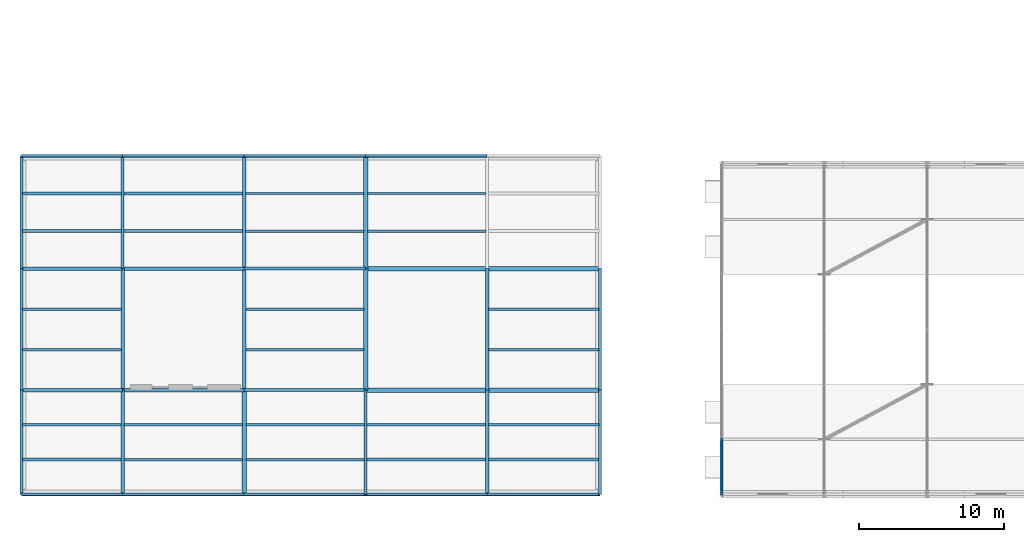
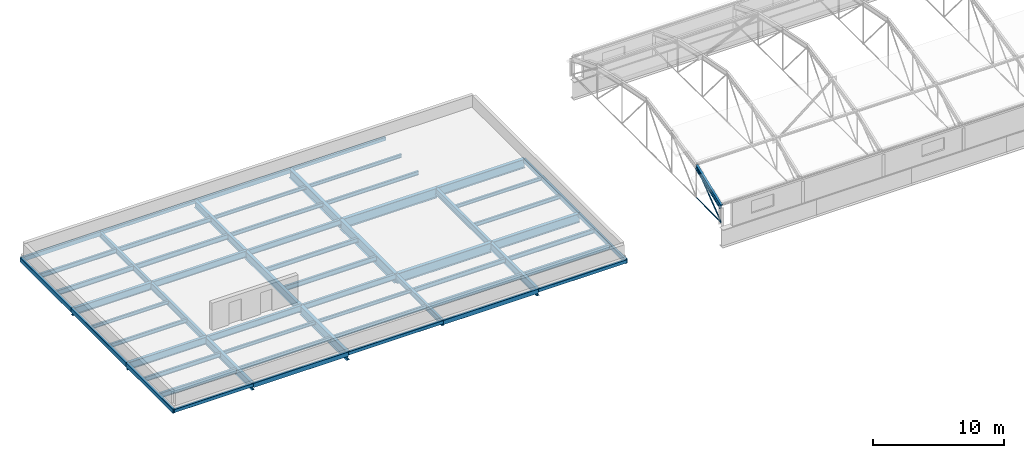
# One storey, part 5 of 53: 60 beams, 2 members.
"""IFC4 building model written with IfcOpenShell, lengths in metres."""

from ifc_helpers import new_model, si_unit, direction, frame, origin_with_axes, origin_2d_with_axis, place, context, subcontext, project, spatial, hollow_rectangle, circle, hollow_circle, i_section, extrude, material, material_profile, profile_set, type_object, element, save


model = new_model("IFC4")

# Units and contexts
model_context = context("Model", 3, precision=1e-05, world=origin_with_axes(), true_north=direction((0.0, 1.0)))
body_context = subcontext(model_context, "Body", "Model", "MODEL_VIEW")
ifc_project = project(units=[si_unit("LENGTHUNIT", "METRE"), si_unit("AREAUNIT", "SQUARE_METRE"), si_unit("VOLUMEUNIT", "CUBIC_METRE"), si_unit("PLANEANGLEUNIT", "RADIAN"), si_unit("MASSUNIT", "GRAM", prefix="KILO"), si_unit("THERMODYNAMICTEMPERATUREUNIT", "KELVIN")], contexts=[model_context])

# Site, building, storey
site_placement = place(None, origin_with_axes())
site = spatial("IfcSite", under=ifc_project, at=site_placement, CompositionType="ELEMENT")
building_placement = place(site_placement, origin_with_axes())
building = spatial("IfcBuilding", under=site, at=building_placement, Name="Montbau Bow Law Courts", CompositionType="ELEMENT")
storey_placement = place(building_placement, frame((0.0, 0.0, 39.0), z_axis=(0.0, 0.0, 1.0), x_axis=(1.0, 0.0, 0.0)))
storey = spatial("IfcBuildingStorey", under=building, at=storey_placement, Name="L08", CompositionType="ELEMENT", Elevation=39.0)

# Beams
ifc_material_1 = material(Name="Steel CSA G40.21 Grade 350WT (350 MPa)", Category="steel")
ifc_material_profile_1 = material_profile(ifc_material_1, i_section(OverallWidth=0.191, OverallDepth=0.46, WebThickness=0.0099, FlangeThickness=0.016, at=origin_2d_with_axis()), Name="W460X82", Category="Main", Priority=0)
ifc_profile_set_1 = profile_set([ifc_material_profile_1], Name="Steel CSA G40.21 Grade 350WT (350 MPa)")
beam_type_1 = type_object("IfcBeamType", Name="B-ARC-02", PredefinedType="USERDEFINED", material=ifc_profile_set_1)
beam_1_placement = place(None, frame((55.2, 39.0, 40.7), z_axis=(0.0, 0.931986259, 0.362493603), x_axis=(-1.0, 0.0, 0.0)))
element("IfcBeam", 1, at=beam_1_placement, inside=storey, type_object=beam_type_1, Name="Barrel vault roof truss arch rib V3-097", ObjectType="ARCH_RIB", PredefinedType="USERDEFINED", context=body_context, shape_type="SweptSolid", body=[
    extrude(i_section(OverallWidth=0.191, OverallDepth=0.46, WebThickness=0.0099, FlangeThickness=0.016, at=origin_2d_with_axis()), origin_with_axes(), (0.0, 0.0, 1.0), 4.077313),
])
ifc_material_2 = material(Name="Steel CSA G40.21 Grade 350W (350 MPa)", Category="steel")
ifc_material_profile_2 = material_profile(ifc_material_2, i_section(OverallWidth=0.306, OverallDepth=0.919, WebThickness=0.0173, FlangeThickness=0.0279, at=origin_2d_with_axis()), Name="W920X253", Category="Main", Priority=0)
ifc_profile_set_2 = profile_set([ifc_material_profile_2], Name="Steel CSA G40.21 Grade 350W (350 MPa)")
beam_type_2 = type_object("IfcBeamType", Name="B-FLR-01", PredefinedType="BEAM", material=ifc_profile_set_2)
for number, where, z_axis, x_axis, name in (
    (2, (30.6, 46.2, 38.291), (1.0, 0.0, 0.0), (0.0, 1.0, 0.0), "BM-L08-S0768:bm2_0771"),
    (3, (30.6, 54.6, 38.291), (1.0, 0.0, 0.0), (0.0, 1.0, 0.0), "BM-L08-S0773:bm2_0776"),
    (4, (30.6, 46.2, 38.291), (0.0, 1.0, 0.0), (-1.0, 0.0, 0.0), "BM-L08-S0790:bm2_0793"),
):
    element("IfcBeam", number, at=place(None, frame(where, z_axis=z_axis, x_axis=x_axis)), inside=storey, type_object=beam_type_2, Name=name, PredefinedType="BEAM", context=body_context, shape_type="SweptSolid", body=[
        extrude(i_section(OverallWidth=0.306, OverallDepth=0.919, WebThickness=0.0173, FlangeThickness=0.0279, at=origin_2d_with_axis()), origin_with_axes(), (0.0, 0.0, 1.0), 8.4),
    ])
ifc_material_profile_3 = material_profile(ifc_material_2, i_section(OverallWidth=0.293, OverallDepth=0.846, WebThickness=0.0154, FlangeThickness=0.0244, at=origin_2d_with_axis()), Name="W840X210", Category="Main", Priority=0)
ifc_profile_set_3 = profile_set([ifc_material_profile_3], Name="Steel CSA G40.21 Grade 350W (350 MPa)")
beam_type_3 = type_object("IfcBeamType", Name="B-FLR-02", PredefinedType="BEAM", material=ifc_profile_set_3)
for number, where, z_axis, x_axis, name in (
    (5, (39.0, 46.2, 38.327), (1.0, 0.0, 0.0), (0.0, 1.0, 0.0), "BM-L08-S0769:bm2_0772"),
    (6, (39.0, 54.6, 38.327), (1.0, 0.0, 0.0), (0.0, 1.0, 0.0), "BM-L08-S0774:bm2_0777"),
):
    element("IfcBeam", number, at=place(None, frame(where, z_axis=z_axis, x_axis=x_axis)), inside=storey, type_object=beam_type_3, Name=name, PredefinedType="BEAM", context=body_context, shape_type="SweptSolid", body=[
        extrude(i_section(OverallWidth=0.293, OverallDepth=0.846, WebThickness=0.0154, FlangeThickness=0.0244, at=origin_2d_with_axis()), origin_with_axes(), (0.0, 0.0, 1.0), 7.8),
    ])
beam_2_placement = place(None, frame((22.2, 39.0, 38.327), z_axis=(0.0, 1.0, 0.0), x_axis=(-1.0, 0.0, 0.0)))
element("IfcBeam", 7, at=beam_2_placement, inside=storey, type_object=beam_type_3, Name="BM-L08-S0786:bm2_0789", PredefinedType="BEAM", context=body_context, shape_type="SweptSolid", body=[
    extrude(i_section(OverallWidth=0.293, OverallDepth=0.846, WebThickness=0.0154, FlangeThickness=0.0244, at=origin_2d_with_axis()), origin_with_axes(), (0.0, 0.0, 1.0), 7.2),
])
beam_3_placement = place(None, frame((30.6, 54.6, 38.327), z_axis=(0.0, 1.0, 0.0), x_axis=(-1.0, 0.0, 0.0)))
element("IfcBeam", 8, at=beam_3_placement, inside=storey, type_object=beam_type_3, Name="BM-L08-S0791:bm2_0794", PredefinedType="BEAM", context=body_context, shape_type="SweptSolid", body=[
    extrude(i_section(OverallWidth=0.293, OverallDepth=0.846, WebThickness=0.0154, FlangeThickness=0.0244, at=origin_2d_with_axis()), origin_with_axes(), (0.0, 0.0, 1.0), 7.8),
])
ifc_material_profile_4 = material_profile(ifc_material_2, i_section(OverallWidth=0.267, OverallDepth=0.766, WebThickness=0.0149, FlangeThickness=0.0236, at=origin_2d_with_axis()), Name="W760X185", Category="Main", Priority=0)
ifc_profile_set_4 = profile_set([ifc_material_profile_4], Name="Steel CSA G40.21 Grade 350W (350 MPa)")
beam_type_4 = type_object("IfcBeamType", Name="B-FLR-03", PredefinedType="BEAM", material=ifc_profile_set_4)
beam_4_placement = place(None, frame((22.2, 46.2, 38.367), z_axis=(0.0, 1.0, 0.0), x_axis=(-1.0, 0.0, 0.0)))
element("IfcBeam", 9, at=beam_4_placement, inside=storey, type_object=beam_type_4, Name="BM-L08-S0787:bm2_0790", PredefinedType="BEAM", context=body_context, shape_type="SweptSolid", body=[
    extrude(i_section(OverallWidth=0.267, OverallDepth=0.766, WebThickness=0.0149, FlangeThickness=0.0236, at=origin_2d_with_axis()), origin_with_axes(), (0.0, 0.0, 1.0), 8.4),
])
ifc_material_profile_5 = material_profile(ifc_material_2, i_section(OverallWidth=0.254, OverallDepth=0.688, WebThickness=0.0131, FlangeThickness=0.0211, at=origin_2d_with_axis()), Name="W690X152", Category="Main", Priority=0)
ifc_profile_set_5 = profile_set([ifc_material_profile_5], Name="Steel CSA G40.21 Grade 350W (350 MPa)")
beam_type_5 = type_object("IfcBeamType", Name="B-FLR-04", PredefinedType="BEAM", material=ifc_profile_set_5)
for number, where, z_axis, x_axis, name in (
    (10, (6.8, 46.2, 38.406), (1.0, 0.0, 0.0), (0.0, 1.0, 0.0), "BM-L08-S0765:bm2_0768"),
    (11, (6.8, 54.6, 38.406), (1.0, 0.0, 0.0), (0.0, 1.0, 0.0), "BM-L08-S0770:bm2_0773"),
):
    element("IfcBeam", number, at=place(None, frame(where, z_axis=z_axis, x_axis=x_axis)), inside=storey, type_object=beam_type_5, Name=name, PredefinedType="BEAM", context=body_context, shape_type="SweptSolid", body=[
        extrude(i_section(OverallWidth=0.254, OverallDepth=0.688, WebThickness=0.0131, FlangeThickness=0.0211, at=origin_2d_with_axis()), origin_with_axes(), (0.0, 0.0, 1.0), 7.0),
    ])
beam_5_placement = place(None, frame((13.8, 39.0, 38.406), z_axis=(0.0, 1.0, 0.0), x_axis=(-1.0, 0.0, 0.0)))
element("IfcBeam", 12, at=beam_5_placement, inside=storey, type_object=beam_type_5, Name="BM-L08-S0783:bm2_0786", PredefinedType="BEAM", context=body_context, shape_type="SweptSolid", body=[
    extrude(i_section(OverallWidth=0.254, OverallDepth=0.688, WebThickness=0.0131, FlangeThickness=0.0211, at=origin_2d_with_axis()), origin_with_axes(), (0.0, 0.0, 1.0), 7.2),
])
beam_6_placement = place(None, frame((22.2, 54.6, 38.406), z_axis=(0.0, 1.0, 0.0), x_axis=(-1.0, 0.0, 0.0)))
element("IfcBeam", 13, at=beam_6_placement, inside=storey, type_object=beam_type_5, Name="BM-L08-S0788:bm2_0791", PredefinedType="BEAM", context=body_context, shape_type="SweptSolid", body=[
    extrude(i_section(OverallWidth=0.254, OverallDepth=0.688, WebThickness=0.0131, FlangeThickness=0.0211, at=origin_2d_with_axis()), origin_with_axes(), (0.0, 0.0, 1.0), 7.8),
])
beam_7_placement = place(None, frame((39.0, 39.0, 38.406), z_axis=(0.0, 1.0, 0.0), x_axis=(-1.0, 0.0, 0.0)))
element("IfcBeam", 14, at=beam_7_placement, inside=storey, type_object=beam_type_5, Name="BM-L08-S0792:bm2_0795", PredefinedType="BEAM", context=body_context, shape_type="SweptSolid", body=[
    extrude(i_section(OverallWidth=0.254, OverallDepth=0.688, WebThickness=0.0131, FlangeThickness=0.0211, at=origin_2d_with_axis()), origin_with_axes(), (0.0, 0.0, 1.0), 7.2),
])
ifc_material_profile_6 = material_profile(ifc_material_2, i_section(OverallWidth=0.229, OverallDepth=0.612, WebThickness=0.0119, FlangeThickness=0.0196, at=origin_2d_with_axis()), Name="W610X125", Category="Main", Priority=0)
ifc_profile_set_6 = profile_set([ifc_material_profile_6], Name="Steel CSA G40.21 Grade 350W (350 MPa)")
beam_type_6 = type_object("IfcBeamType", Name="B-FLR-05", PredefinedType="BEAM", material=ifc_profile_set_6)
for number, where, z_axis, x_axis, name in (
    (15, (13.8, 46.2, 38.444), (1.0, 0.0, 0.0), (0.0, 1.0, 0.0), "BM-L08-S0766:bm2_0769"),
    (16, (13.8, 54.6, 38.444), (1.0, 0.0, 0.0), (0.0, 1.0, 0.0), "BM-L08-S0771:bm2_0774"),
    (17, (13.8, 46.2, 38.444), (0.0, 1.0, 0.0), (-1.0, 0.0, 0.0), "BM-L08-S0784:bm2_0787"),
    (18, (39.0, 46.2, 38.444), (0.0, 1.0, 0.0), (-1.0, 0.0, 0.0), "BM-L08-S0793:bm2_0796"),
):
    element("IfcBeam", number, at=place(None, frame(where, z_axis=z_axis, x_axis=x_axis)), inside=storey, type_object=beam_type_6, Name=name, PredefinedType="BEAM", context=body_context, shape_type="SweptSolid", body=[
        extrude(i_section(OverallWidth=0.229, OverallDepth=0.612, WebThickness=0.0119, FlangeThickness=0.0196, at=origin_2d_with_axis()), origin_with_axes(), (0.0, 0.0, 1.0), 8.4),
    ])
ifc_material_profile_7 = material_profile(ifc_material_2, i_section(OverallWidth=0.21, OverallDepth=0.537, WebThickness=0.0109, FlangeThickness=0.0174, at=origin_2d_with_axis()), Name="W530X101", Category="Main", Priority=0)
ifc_profile_set_7 = profile_set([ifc_material_profile_7], Name="Steel CSA G40.21 Grade 350W (350 MPa)")
beam_type_7 = type_object("IfcBeamType", Name="B-FLR-06", PredefinedType="BEAM", material=ifc_profile_set_7)
for number, where, z_axis, x_axis, name in (
    (19, (22.2, 46.2, 38.481), (1.0, 0.0, 0.0), (0.0, 1.0, 0.0), "BM-L08-S0767:bm2_0770"),
    (20, (22.2, 54.6, 38.481), (1.0, 0.0, 0.0), (0.0, 1.0, 0.0), "BM-L08-S0772:bm2_0775"),
):
    element("IfcBeam", number, at=place(None, frame(where, z_axis=z_axis, x_axis=x_axis)), inside=storey, type_object=beam_type_7, Name=name, PredefinedType="BEAM", context=body_context, shape_type="SweptSolid", body=[
        extrude(i_section(OverallWidth=0.21, OverallDepth=0.537, WebThickness=0.0109, FlangeThickness=0.0174, at=origin_2d_with_axis()), origin_with_axes(), (0.0, 0.0, 1.0), 8.4),
    ])
beam_8_placement = place(None, frame((13.8, 54.6, 38.481), z_axis=(0.0, 1.0, 0.0), x_axis=(-1.0, 0.0, 0.0)))
element("IfcBeam", 21, at=beam_8_placement, inside=storey, type_object=beam_type_7, Name="BM-L08-S0785:bm2_0788", PredefinedType="BEAM", context=body_context, shape_type="SweptSolid", body=[
    extrude(i_section(OverallWidth=0.21, OverallDepth=0.537, WebThickness=0.0109, FlangeThickness=0.0174, at=origin_2d_with_axis()), origin_with_axes(), (0.0, 0.0, 1.0), 7.8),
])
beam_9_placement = place(None, frame((30.6, 39.0, 38.481), z_axis=(0.0, 1.0, 0.0), x_axis=(-1.0, 0.0, 0.0)))
element("IfcBeam", 22, at=beam_9_placement, inside=storey, type_object=beam_type_7, Name="BM-L08-S0789:bm2_0792", PredefinedType="BEAM", context=body_context, shape_type="SweptSolid", body=[
    extrude(i_section(OverallWidth=0.21, OverallDepth=0.537, WebThickness=0.0109, FlangeThickness=0.0174, at=origin_2d_with_axis()), origin_with_axes(), (0.0, 0.0, 1.0), 7.2),
])
ifc_material_profile_8 = material_profile(ifc_material_2, i_section(OverallWidth=0.191, OverallDepth=0.46, WebThickness=0.0099, FlangeThickness=0.016, at=origin_2d_with_axis()), Name="W460X82", Category="Main", Priority=0)
ifc_profile_set_8 = profile_set([ifc_material_profile_8], Name="Steel CSA G40.21 Grade 350W (350 MPa)")
beam_type_8 = type_object("IfcBeamType", Name="B-JST-01", PredefinedType="JOIST", material=ifc_profile_set_8)
beam_10_placement = place(None, frame((6.88, 41.4, 38.52), z_axis=(1.0, 0.0, 0.0), x_axis=(0.0, 1.0, 0.0)))
element("IfcBeam", 23, at=beam_10_placement, inside=storey, type_object=beam_type_8, Name="JST-L08-S0388:jst2_0388", PredefinedType="JOIST", context=body_context, shape_type="SweptSolid", body=[
    extrude(i_section(OverallWidth=0.191, OverallDepth=0.46, WebThickness=0.0099, FlangeThickness=0.016, at=origin_2d_with_axis()), origin_with_axes(), (0.0, 0.0, 1.0), 6.817),
])
beam_11_placement = place(None, frame((6.88, 57.2, 38.52), z_axis=(1.0, 0.0, 0.0), x_axis=(0.0, 1.0, 0.0)))
element("IfcBeam", 24, at=beam_11_placement, inside=storey, type_object=beam_type_8, Name="JST-L08-S0392:jst2_0392", PredefinedType="JOIST", context=body_context, shape_type="SweptSolid", body=[
    extrude(i_section(OverallWidth=0.191, OverallDepth=0.46, WebThickness=0.0099, FlangeThickness=0.016, at=origin_2d_with_axis()), origin_with_axes(), (0.0, 0.0, 1.0), 6.839),
])
beam_12_placement = place(None, frame((13.881, 57.2, 38.52), z_axis=(1.0, 0.0, 0.0), x_axis=(0.0, 1.0, 0.0)))
element("IfcBeam", 25, at=beam_12_placement, inside=storey, type_object=beam_type_8, Name="JST-L08-S0396:jst2_0396", PredefinedType="JOIST", context=body_context, shape_type="SweptSolid", body=[
    extrude(i_section(OverallWidth=0.191, OverallDepth=0.46, WebThickness=0.0099, FlangeThickness=0.016, at=origin_2d_with_axis()), origin_with_axes(), (0.0, 0.0, 1.0), 8.216),
])
beam_13_placement = place(None, frame((22.309, 49.0, 38.52), z_axis=(1.0, 0.0, 0.0), x_axis=(0.0, 1.0, 0.0)))
element("IfcBeam", 26, at=beam_13_placement, inside=storey, type_object=beam_type_8, Name="JST-L08-S0400:jst2_0400", PredefinedType="JOIST", context=body_context, shape_type="SweptSolid", body=[
    extrude(i_section(OverallWidth=0.191, OverallDepth=0.46, WebThickness=0.0099, FlangeThickness=0.016, at=origin_2d_with_axis()), origin_with_axes(), (0.0, 0.0, 1.0), 8.162),
])
beam_14_placement = place(None, frame((30.681, 41.4, 38.52), z_axis=(1.0, 0.0, 0.0), x_axis=(0.0, 1.0, 0.0)))
element("IfcBeam", 27, at=beam_14_placement, inside=storey, type_object=beam_type_8, Name="JST-L08-S0404:jst2_0404", PredefinedType="JOIST", context=body_context, shape_type="SweptSolid", body=[
    extrude(i_section(OverallWidth=0.191, OverallDepth=0.46, WebThickness=0.0099, FlangeThickness=0.016, at=origin_2d_with_axis()), origin_with_axes(), (0.0, 0.0, 1.0), 8.216),
])
beam_15_placement = place(None, frame((39.103, 41.4, 38.52), z_axis=(1.0, 0.0, 0.0), x_axis=(0.0, 1.0, 0.0)))
element("IfcBeam", 28, at=beam_15_placement, inside=storey, type_object=beam_type_8, Name="JST-L08-S0408:jst2_0408", PredefinedType="JOIST", context=body_context, shape_type="SweptSolid", body=[
    extrude(i_section(OverallWidth=0.191, OverallDepth=0.46, WebThickness=0.0099, FlangeThickness=0.016, at=origin_2d_with_axis()), origin_with_axes(), (0.0, 0.0, 1.0), 7.617),
])
ifc_material_profile_9 = material_profile(ifc_material_2, i_section(OverallWidth=0.179, OverallDepth=0.41, WebThickness=0.0088, FlangeThickness=0.0144, at=origin_2d_with_axis()), Name="W410X67", Category="Main", Priority=0)
ifc_profile_set_9 = profile_set([ifc_material_profile_9], Name="Steel CSA G40.21 Grade 350W (350 MPa)")
beam_type_9 = type_object("IfcBeamType", Name="B-JST-02", PredefinedType="JOIST", material=ifc_profile_set_9)
beam_16_placement = place(None, frame((6.88, 43.8, 38.545), z_axis=(1.0, 0.0, 0.0), x_axis=(0.0, 1.0, 0.0)))
element("IfcBeam", 29, at=beam_16_placement, inside=storey, type_object=beam_type_9, Name="JST-L08-S0389:jst2_0389", PredefinedType="JOIST", context=body_context, shape_type="SweptSolid", body=[
    extrude(i_section(OverallWidth=0.179, OverallDepth=0.41, WebThickness=0.0088, FlangeThickness=0.0144, at=origin_2d_with_axis()), origin_with_axes(), (0.0, 0.0, 1.0), 6.817),
])
beam_17_placement = place(None, frame((6.88, 59.8, 38.545), z_axis=(1.0, 0.0, 0.0), x_axis=(0.0, 1.0, 0.0)))
element("IfcBeam", 30, at=beam_17_placement, inside=storey, type_object=beam_type_9, Name="JST-L08-S0393:jst2_0393", PredefinedType="JOIST", context=body_context, shape_type="SweptSolid", body=[
    extrude(i_section(OverallWidth=0.179, OverallDepth=0.41, WebThickness=0.0088, FlangeThickness=0.0144, at=origin_2d_with_axis()), origin_with_axes(), (0.0, 0.0, 1.0), 6.839),
])
beam_18_placement = place(None, frame((13.881, 59.8, 38.545), z_axis=(1.0, 0.0, 0.0), x_axis=(0.0, 1.0, 0.0)))
element("IfcBeam", 31, at=beam_18_placement, inside=storey, type_object=beam_type_9, Name="JST-L08-S0397:jst2_0397", PredefinedType="JOIST", context=body_context, shape_type="SweptSolid", body=[
    extrude(i_section(OverallWidth=0.179, OverallDepth=0.41, WebThickness=0.0088, FlangeThickness=0.0144, at=origin_2d_with_axis()), origin_with_axes(), (0.0, 0.0, 1.0), 8.216),
])
beam_19_placement = place(None, frame((22.309, 51.8, 38.545), z_axis=(1.0, 0.0, 0.0), x_axis=(0.0, 1.0, 0.0)))
element("IfcBeam", 32, at=beam_19_placement, inside=storey, type_object=beam_type_9, Name="JST-L08-S0401:jst2_0401", PredefinedType="JOIST", context=body_context, shape_type="SweptSolid", body=[
    extrude(i_section(OverallWidth=0.179, OverallDepth=0.41, WebThickness=0.0088, FlangeThickness=0.0144, at=origin_2d_with_axis()), origin_with_axes(), (0.0, 0.0, 1.0), 8.162),
])
beam_20_placement = place(None, frame((30.681, 43.8, 38.545), z_axis=(1.0, 0.0, 0.0), x_axis=(0.0, 1.0, 0.0)))
element("IfcBeam", 33, at=beam_20_placement, inside=storey, type_object=beam_type_9, Name="JST-L08-S0405:jst2_0405", PredefinedType="JOIST", context=body_context, shape_type="SweptSolid", body=[
    extrude(i_section(OverallWidth=0.179, OverallDepth=0.41, WebThickness=0.0088, FlangeThickness=0.0144, at=origin_2d_with_axis()), origin_with_axes(), (0.0, 0.0, 1.0), 8.216),
])
beam_21_placement = place(None, frame((39.103, 43.8, 38.545), z_axis=(1.0, 0.0, 0.0), x_axis=(0.0, 1.0, 0.0)))
element("IfcBeam", 34, at=beam_21_placement, inside=storey, type_object=beam_type_9, Name="JST-L08-S0409:jst2_0409", PredefinedType="JOIST", context=body_context, shape_type="SweptSolid", body=[
    extrude(i_section(OverallWidth=0.179, OverallDepth=0.41, WebThickness=0.0088, FlangeThickness=0.0144, at=origin_2d_with_axis()), origin_with_axes(), (0.0, 0.0, 1.0), 7.617),
])
ifc_material_profile_10 = material_profile(ifc_material_2, i_section(OverallWidth=0.172, OverallDepth=0.358, WebThickness=0.0079, FlangeThickness=0.0131, at=origin_2d_with_axis()), Name="W360X57", Category="Main", Priority=0)
ifc_profile_set_10 = profile_set([ifc_material_profile_10], Name="Steel CSA G40.21 Grade 350W (350 MPa)")
beam_type_10 = type_object("IfcBeamType", Name="B-JST-03", PredefinedType="JOIST", material=ifc_profile_set_10)
beam_22_placement = place(None, frame((6.88, 49.0, 38.571), z_axis=(1.0, 0.0, 0.0), x_axis=(0.0, 1.0, 0.0)))
element("IfcBeam", 35, at=beam_22_placement, inside=storey, type_object=beam_type_10, Name="JST-L08-S0390:jst2_0390", PredefinedType="JOIST", context=body_context, shape_type="SweptSolid", body=[
    extrude(i_section(OverallWidth=0.172, OverallDepth=0.358, WebThickness=0.0079, FlangeThickness=0.0131, at=origin_2d_with_axis()), origin_with_axes(), (0.0, 0.0, 1.0), 6.83),
])
beam_23_placement = place(None, frame((13.903, 41.4, 38.571), z_axis=(1.0, 0.0, 0.0), x_axis=(0.0, 1.0, 0.0)))
element("IfcBeam", 36, at=beam_23_placement, inside=storey, type_object=beam_type_10, Name="JST-L08-S0394:jst2_0394", PredefinedType="JOIST", context=body_context, shape_type="SweptSolid", body=[
    extrude(i_section(OverallWidth=0.172, OverallDepth=0.358, WebThickness=0.0079, FlangeThickness=0.0131, at=origin_2d_with_axis()), origin_with_axes(), (0.0, 0.0, 1.0), 8.175),
])
beam_24_placement = place(None, frame((22.322, 41.4, 38.571), z_axis=(1.0, 0.0, 0.0), x_axis=(0.0, 1.0, 0.0)))
element("IfcBeam", 37, at=beam_24_placement, inside=storey, type_object=beam_type_10, Name="JST-L08-S0398:jst2_0398", PredefinedType="JOIST", context=body_context, shape_type="SweptSolid", body=[
    extrude(i_section(OverallWidth=0.172, OverallDepth=0.358, WebThickness=0.0079, FlangeThickness=0.0131, at=origin_2d_with_axis()), origin_with_axes(), (0.0, 0.0, 1.0), 8.197),
])
beam_25_placement = place(None, frame((22.303, 57.2, 38.571), z_axis=(1.0, 0.0, 0.0), x_axis=(0.0, 1.0, 0.0)))
element("IfcBeam", 38, at=beam_25_placement, inside=storey, type_object=beam_type_10, Name="JST-L08-S0402:jst2_0402", PredefinedType="JOIST", context=body_context, shape_type="SweptSolid", body=[
    extrude(i_section(OverallWidth=0.172, OverallDepth=0.358, WebThickness=0.0079, FlangeThickness=0.0131, at=origin_2d_with_axis()), origin_with_axes(), (0.0, 0.0, 1.0), 8.175),
])
beam_26_placement = place(None, frame((30.723, 57.2, 38.571), z_axis=(1.0, 0.0, 0.0), x_axis=(0.0, 1.0, 0.0)))
element("IfcBeam", 39, at=beam_26_placement, inside=storey, type_object=beam_type_10, Name="JST-L08-S0406:jst2_0406", PredefinedType="JOIST", context=body_context, shape_type="SweptSolid", body=[
    extrude(i_section(OverallWidth=0.172, OverallDepth=0.358, WebThickness=0.0079, FlangeThickness=0.0131, at=origin_2d_with_axis()), origin_with_axes(), (0.0, 0.0, 1.0), 8.196),
])
beam_27_placement = place(None, frame((39.09, 49.0, 38.571), z_axis=(1.0, 0.0, 0.0), x_axis=(0.0, 1.0, 0.0)))
element("IfcBeam", 40, at=beam_27_placement, inside=storey, type_object=beam_type_10, Name="JST-L08-S0410:jst2_0410", PredefinedType="JOIST", context=body_context, shape_type="SweptSolid", body=[
    extrude(i_section(OverallWidth=0.172, OverallDepth=0.358, WebThickness=0.0079, FlangeThickness=0.0131, at=origin_2d_with_axis()), origin_with_axes(), (0.0, 0.0, 1.0), 7.63),
])
ifc_material_profile_11 = material_profile(ifc_material_2, i_section(OverallWidth=0.166, OverallDepth=0.313, WebThickness=0.0066, FlangeThickness=0.0112, at=origin_2d_with_axis()), Name="W310X45", Category="Main", Priority=0)
ifc_profile_set_11 = profile_set([ifc_material_profile_11], Name="Steel CSA G40.21 Grade 350W (350 MPa)")
beam_type_11 = type_object("IfcBeamType", Name="B-JST-04", PredefinedType="JOIST", material=ifc_profile_set_11)
beam_28_placement = place(None, frame((6.88, 51.8, 38.593), z_axis=(1.0, 0.0, 0.0), x_axis=(0.0, 1.0, 0.0)))
element("IfcBeam", 41, at=beam_28_placement, inside=storey, type_object=beam_type_11, Name="JST-L08-S0391:jst2_0391", PredefinedType="JOIST", context=body_context, shape_type="SweptSolid", body=[
    extrude(i_section(OverallWidth=0.166, OverallDepth=0.313, WebThickness=0.0066, FlangeThickness=0.0112, at=origin_2d_with_axis()), origin_with_axes(), (0.0, 0.0, 1.0), 6.83),
])
beam_29_placement = place(None, frame((13.903, 43.8, 38.593), z_axis=(1.0, 0.0, 0.0), x_axis=(0.0, 1.0, 0.0)))
element("IfcBeam", 42, at=beam_29_placement, inside=storey, type_object=beam_type_11, Name="JST-L08-S0395:jst2_0395", PredefinedType="JOIST", context=body_context, shape_type="SweptSolid", body=[
    extrude(i_section(OverallWidth=0.166, OverallDepth=0.313, WebThickness=0.0066, FlangeThickness=0.0112, at=origin_2d_with_axis()), origin_with_axes(), (0.0, 0.0, 1.0), 8.175),
])
beam_30_placement = place(None, frame((22.322, 43.8, 38.593), z_axis=(1.0, 0.0, 0.0), x_axis=(0.0, 1.0, 0.0)))
element("IfcBeam", 43, at=beam_30_placement, inside=storey, type_object=beam_type_11, Name="JST-L08-S0399:jst2_0399", PredefinedType="JOIST", context=body_context, shape_type="SweptSolid", body=[
    extrude(i_section(OverallWidth=0.166, OverallDepth=0.313, WebThickness=0.0066, FlangeThickness=0.0112, at=origin_2d_with_axis()), origin_with_axes(), (0.0, 0.0, 1.0), 8.197),
])
beam_31_placement = place(None, frame((22.303, 59.8, 38.593), z_axis=(1.0, 0.0, 0.0), x_axis=(0.0, 1.0, 0.0)))
element("IfcBeam", 44, at=beam_31_placement, inside=storey, type_object=beam_type_11, Name="JST-L08-S0403:jst2_0403", PredefinedType="JOIST", context=body_context, shape_type="SweptSolid", body=[
    extrude(i_section(OverallWidth=0.166, OverallDepth=0.313, WebThickness=0.0066, FlangeThickness=0.0112, at=origin_2d_with_axis()), origin_with_axes(), (0.0, 0.0, 1.0), 8.175),
])
beam_32_placement = place(None, frame((30.723, 59.8, 38.593), z_axis=(1.0, 0.0, 0.0), x_axis=(0.0, 1.0, 0.0)))
element("IfcBeam", 45, at=beam_32_placement, inside=storey, type_object=beam_type_11, Name="JST-L08-S0407:jst2_0407", PredefinedType="JOIST", context=body_context, shape_type="SweptSolid", body=[
    extrude(i_section(OverallWidth=0.166, OverallDepth=0.313, WebThickness=0.0066, FlangeThickness=0.0112, at=origin_2d_with_axis()), origin_with_axes(), (0.0, 0.0, 1.0), 8.196),
])
beam_33_placement = place(None, frame((39.09, 51.8, 38.593), z_axis=(1.0, 0.0, 0.0), x_axis=(0.0, 1.0, 0.0)))
element("IfcBeam", 46, at=beam_33_placement, inside=storey, type_object=beam_type_11, Name="JST-L08-S0411:jst2_0411", PredefinedType="JOIST", context=body_context, shape_type="SweptSolid", body=[
    extrude(i_section(OverallWidth=0.166, OverallDepth=0.313, WebThickness=0.0066, FlangeThickness=0.0112, at=origin_2d_with_axis()), origin_with_axes(), (0.0, 0.0, 1.0), 7.63),
])
ifc_material_profile_12 = material_profile(ifc_material_1, hollow_rectangle(XDim=0.203, YDim=0.406, WallThickness=0.0127, InnerFilletRadius=0.0254, OuterFilletRadius=0.0127, at=origin_2d_with_axis()), Name="HSS406X203X13", Category="Main", Priority=0)
ifc_profile_set_12 = profile_set([ifc_material_profile_12], Name="Steel CSA G40.21 Grade 350WT (350 MPa)")
beam_type_12 = type_object("IfcBeamType", Name="B-SPN-01", PredefinedType="SPANDREL", material=ifc_profile_set_12)
for number, where, z_axis, x_axis, name in (
    (47, (13.8, 39.0, 38.547), (1.0, 0.0, 0.0), (0.0, 1.0, 0.0), "SPN-L08-S0761:bm2_0764"),
    (48, (30.6, 39.0, 38.547), (1.0, 0.0, 0.0), (0.0, 1.0, 0.0), "SPN-L08-S0763:bm2_0766"),
):
    element("IfcBeam", number, at=place(None, frame(where, z_axis=z_axis, x_axis=x_axis)), inside=storey, type_object=beam_type_12, Name=name, PredefinedType="SPANDREL", context=body_context, shape_type="SweptSolid", body=[
        extrude(hollow_rectangle(XDim=0.203, YDim=0.406, WallThickness=0.0127, InnerFilletRadius=0.0254, OuterFilletRadius=0.0127, at=origin_2d_with_axis()), origin_with_axes(), (0.0, 0.0, 1.0), 8.4),
    ])
beam_34_placement = place(None, frame((6.8, 62.4, 38.547), z_axis=(1.0, 0.0, 0.0), x_axis=(0.0, 1.0, 0.0)))
element("IfcBeam", 49, at=beam_34_placement, inside=storey, type_object=beam_type_12, Name="SPN-L08-S0775:bm2_0778", PredefinedType="SPANDREL", context=body_context, shape_type="SweptSolid", body=[
    extrude(hollow_rectangle(XDim=0.203, YDim=0.406, WallThickness=0.0127, InnerFilletRadius=0.0254, OuterFilletRadius=0.0127, at=origin_2d_with_axis()), origin_with_axes(), (0.0, 0.0, 1.0), 7.0),
])
beam_35_placement = place(None, frame((22.2, 62.4, 38.547), z_axis=(1.0, 0.0, 0.0), x_axis=(0.0, 1.0, 0.0)))
element("IfcBeam", 50, at=beam_35_placement, inside=storey, type_object=beam_type_12, Name="SPN-L08-S0777:bm2_0780", PredefinedType="SPANDREL", context=body_context, shape_type="SweptSolid", body=[
    extrude(hollow_rectangle(XDim=0.203, YDim=0.406, WallThickness=0.0127, InnerFilletRadius=0.0254, OuterFilletRadius=0.0127, at=origin_2d_with_axis()), origin_with_axes(), (0.0, 0.0, 1.0), 8.4),
])
beam_36_placement = place(None, frame((6.8, 39.0, 38.547), z_axis=(0.0, 1.0, 0.0), x_axis=(-1.0, 0.0, 0.0)))
element("IfcBeam", 51, at=beam_36_placement, inside=storey, type_object=beam_type_12, Name="SPN-L08-S0780:bm2_0783", PredefinedType="SPANDREL", context=body_context, shape_type="SweptSolid", body=[
    extrude(hollow_rectangle(XDim=0.203, YDim=0.406, WallThickness=0.0127, InnerFilletRadius=0.0254, OuterFilletRadius=0.0127, at=origin_2d_with_axis()), origin_with_axes(), (0.0, 0.0, 1.0), 7.2),
])
beam_37_placement = place(None, frame((6.8, 46.2, 38.547), z_axis=(0.0, 1.0, 0.0), x_axis=(-1.0, 0.0, 0.0)))
element("IfcBeam", 52, at=beam_37_placement, inside=storey, type_object=beam_type_12, Name="SPN-L08-S0781:bm2_0784", PredefinedType="SPANDREL", context=body_context, shape_type="SweptSolid", body=[
    extrude(hollow_rectangle(XDim=0.203, YDim=0.406, WallThickness=0.0127, InnerFilletRadius=0.0254, OuterFilletRadius=0.0127, at=origin_2d_with_axis()), origin_with_axes(), (0.0, 0.0, 1.0), 8.4),
])
beam_38_placement = place(None, frame((6.8, 54.6, 38.547), z_axis=(0.0, 1.0, 0.0), x_axis=(-1.0, 0.0, 0.0)))
element("IfcBeam", 53, at=beam_38_placement, inside=storey, type_object=beam_type_12, Name="SPN-L08-S0782:bm2_0785", PredefinedType="SPANDREL", context=body_context, shape_type="SweptSolid", body=[
    extrude(hollow_rectangle(XDim=0.203, YDim=0.406, WallThickness=0.0127, InnerFilletRadius=0.0254, OuterFilletRadius=0.0127, at=origin_2d_with_axis()), origin_with_axes(), (0.0, 0.0, 1.0), 7.8),
])
beam_39_placement = place(None, frame((46.8, 39.0, 38.547), z_axis=(0.0, 1.0, 0.0), x_axis=(-1.0, 0.0, 0.0)))
element("IfcBeam", 54, at=beam_39_placement, inside=storey, type_object=beam_type_12, Name="SPN-L08-S0795:bm2_0798", PredefinedType="SPANDREL", context=body_context, shape_type="SweptSolid", body=[
    extrude(hollow_rectangle(XDim=0.203, YDim=0.406, WallThickness=0.0127, InnerFilletRadius=0.0254, OuterFilletRadius=0.0127, at=origin_2d_with_axis()), origin_with_axes(), (0.0, 0.0, 1.0), 7.2),
])
beam_40_placement = place(None, frame((46.8, 46.2, 38.547), z_axis=(0.0, 1.0, 0.0), x_axis=(-1.0, 0.0, 0.0)))
element("IfcBeam", 55, at=beam_40_placement, inside=storey, type_object=beam_type_12, Name="SPN-L08-S0796:bm2_0799", PredefinedType="SPANDREL", context=body_context, shape_type="SweptSolid", body=[
    extrude(hollow_rectangle(XDim=0.203, YDim=0.406, WallThickness=0.0127, InnerFilletRadius=0.0254, OuterFilletRadius=0.0127, at=origin_2d_with_axis()), origin_with_axes(), (0.0, 0.0, 1.0), 8.4),
])
ifc_material_profile_13 = material_profile(ifc_material_1, hollow_rectangle(XDim=0.203, YDim=0.305, WallThickness=0.0127, InnerFilletRadius=0.0254, OuterFilletRadius=0.0127, at=origin_2d_with_axis()), Name="HSS305X203X13", Category="Main", Priority=0)
ifc_profile_set_13 = profile_set([ifc_material_profile_13], Name="Steel CSA G40.21 Grade 350WT (350 MPa)")
beam_type_13 = type_object("IfcBeamType", Name="B-SPN-02", PredefinedType="SPANDREL", material=ifc_profile_set_13)
beam_41_placement = place(None, frame((6.8, 39.0, 38.597), z_axis=(1.0, 0.0, 0.0), x_axis=(0.0, 1.0, 0.0)))
element("IfcBeam", 56, at=beam_41_placement, inside=storey, type_object=beam_type_13, Name="SPN-L08-S0760:bm2_0763", PredefinedType="SPANDREL", context=body_context, shape_type="SweptSolid", body=[
    extrude(hollow_rectangle(XDim=0.203, YDim=0.305, WallThickness=0.0127, InnerFilletRadius=0.0254, OuterFilletRadius=0.0127, at=origin_2d_with_axis()), origin_with_axes(), (0.0, 0.0, 1.0), 7.0),
])
beam_42_placement = place(None, frame((22.2, 39.0, 38.597), z_axis=(1.0, 0.0, 0.0), x_axis=(0.0, 1.0, 0.0)))
element("IfcBeam", 57, at=beam_42_placement, inside=storey, type_object=beam_type_13, Name="SPN-L08-S0762:bm2_0765", PredefinedType="SPANDREL", context=body_context, shape_type="SweptSolid", body=[
    extrude(hollow_rectangle(XDim=0.203, YDim=0.305, WallThickness=0.0127, InnerFilletRadius=0.0254, OuterFilletRadius=0.0127, at=origin_2d_with_axis()), origin_with_axes(), (0.0, 0.0, 1.0), 8.4),
])
beam_43_placement = place(None, frame((39.0, 39.0, 38.597), z_axis=(1.0, 0.0, 0.0), x_axis=(0.0, 1.0, 0.0)))
element("IfcBeam", 58, at=beam_43_placement, inside=storey, type_object=beam_type_13, Name="SPN-L08-S0764:bm2_0767", PredefinedType="SPANDREL", context=body_context, shape_type="SweptSolid", body=[
    extrude(hollow_rectangle(XDim=0.203, YDim=0.305, WallThickness=0.0127, InnerFilletRadius=0.0254, OuterFilletRadius=0.0127, at=origin_2d_with_axis()), origin_with_axes(), (0.0, 0.0, 1.0), 7.8),
])
for number, where, z_axis, x_axis, name in (
    (59, (13.8, 62.4, 38.597), (1.0, 0.0, 0.0), (0.0, 1.0, 0.0), "SPN-L08-S0776:bm2_0779"),
    (60, (30.6, 62.4, 38.597), (1.0, 0.0, 0.0), (0.0, 1.0, 0.0), "SPN-L08-S0778:bm2_0781"),
):
    element("IfcBeam", number, at=place(None, frame(where, z_axis=z_axis, x_axis=x_axis)), inside=storey, type_object=beam_type_13, Name=name, PredefinedType="SPANDREL", context=body_context, shape_type="SweptSolid", body=[
        extrude(hollow_rectangle(XDim=0.203, YDim=0.305, WallThickness=0.0127, InnerFilletRadius=0.0254, OuterFilletRadius=0.0127, at=origin_2d_with_axis()), origin_with_axes(), (0.0, 0.0, 1.0), 8.4),
    ])

# Members
ifc_material_profile_14 = material_profile(ifc_material_1, hollow_circle(Radius=0.057, WallThickness=0.008, at=origin_2d_with_axis()), Name="HSS114X8.0", Category="Main", Priority=0)
ifc_profile_set_14 = profile_set([ifc_material_profile_14], Name="Steel CSA G40.21 Grade 350WT (350 MPa)")
member_type_1 = type_object("IfcMemberType", Name="M-STR-03", PredefinedType="STRUT", material=ifc_profile_set_14)
member_1_placement = place(None, frame((55.2, 39.0, 39.25), z_axis=(0.0, 0.792127775, 0.610355296), x_axis=(-1.0, 0.0, 0.0)))
element("IfcMember", 61, at=member_1_placement, inside=storey, type_object=member_type_1, Name="Barrel vault roof truss web diagonal V3-01-1", PredefinedType="STRUT", context=body_context, shape_type="SweptSolid", body=[
    extrude(hollow_circle(Radius=0.057, WallThickness=0.008, at=origin_2d_with_axis()), origin_with_axes(), (0.0, 0.0, 1.0), 4.797206),
])
ifc_material_profile_15 = material_profile(ifc_material_1, circle(Radius=0.032, at=origin_2d_with_axis()), Name="ROD64", Category="Main", Priority=0)
ifc_profile_set_15 = profile_set([ifc_material_profile_15], Name="Steel CSA G40.21 Grade 350WT (350 MPa)")
member_type_2 = type_object("IfcMemberType", Name="M-TIE-02", PredefinedType="USERDEFINED", material=ifc_profile_set_15)
member_2_placement = place(None, frame((55.2, 39.0, 39.25), z_axis=(0.0, 1.0, 0.0), x_axis=(-1.0, 0.0, 0.0)))
element("IfcMember", 62, at=member_2_placement, inside=storey, type_object=member_type_2, Name="Barrel vault roof truss tie V3-097", ObjectType="TIEBAR", PredefinedType="USERDEFINED", context=body_context, shape_type="SweptSolid", body=[
    extrude(circle(Radius=0.032, at=origin_2d_with_axis()), origin_with_axes(), (0.0, 0.0, 1.0), 3.8),
])

save(model, "model.ifc")
